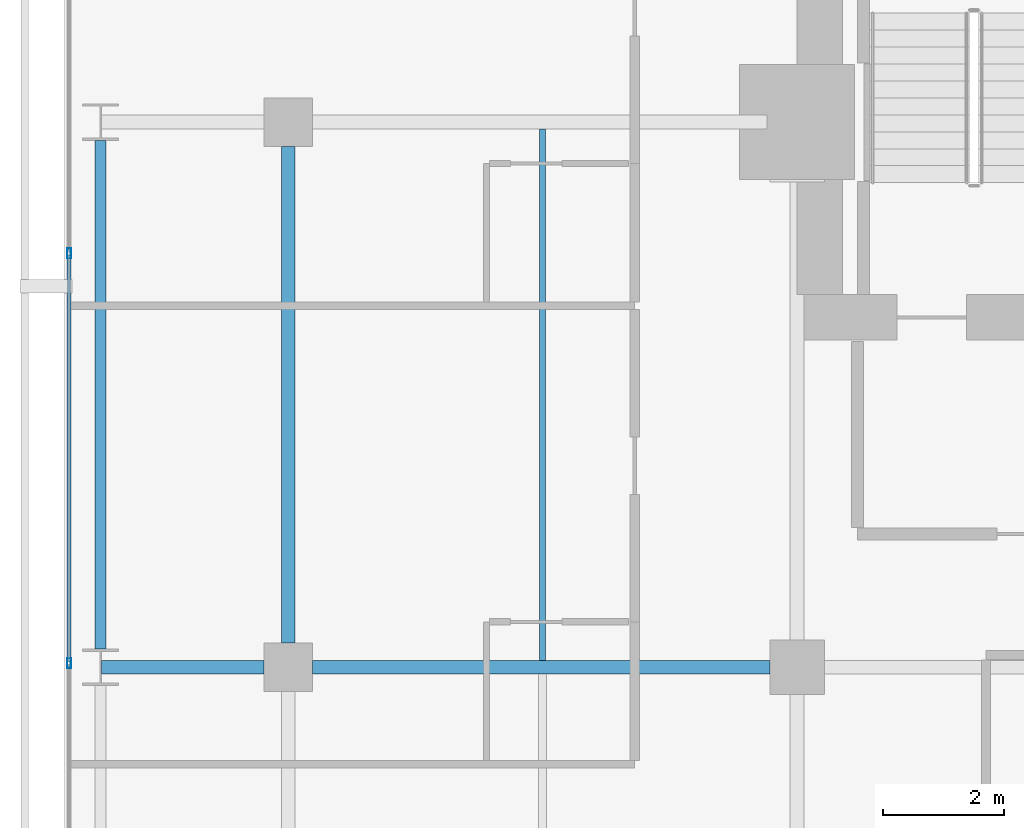
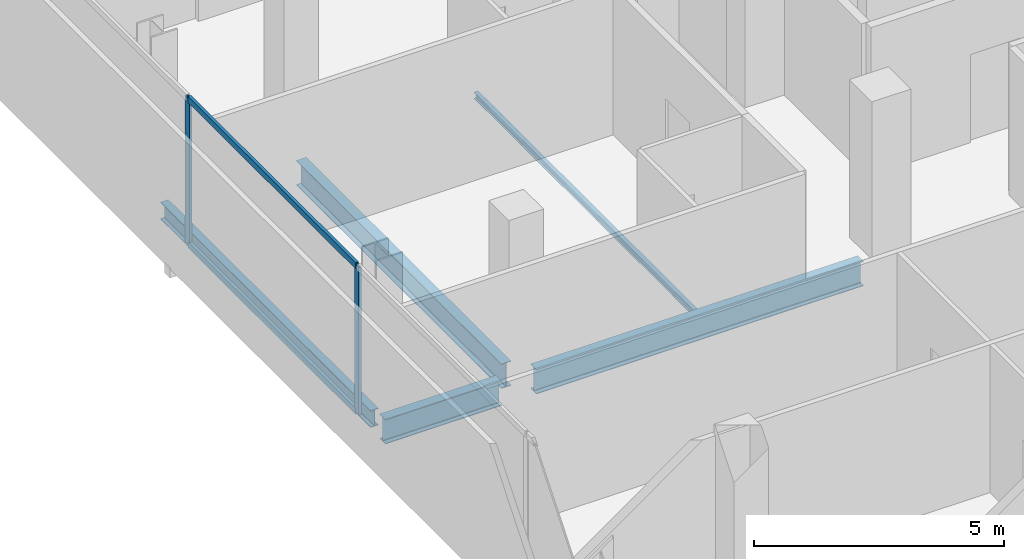
# One storey, part 18 of 34: 5 beams, 4 members, 1 element without a shape of its own.
"""IFC4 building model written with IfcOpenShell, lengths in metres."""

from ifc_helpers import new_model, si_unit, direction, frame, origin, origin_2d, place, context, subcontext, project, spatial, hollow_rectangle, i_section, extrude, material, layer, layer_set, material_profile, profile_set, type_object, element, aggregate, save


model = new_model("IFC4")

# Units and contexts
model_context = context("Model", 3, precision=1e-05, world=origin(), true_north=direction((0.0, 1.0)))
body_context = subcontext(model_context, "Body", "Model", "MODEL_VIEW")
ifc_project = project(units=[si_unit("LENGTHUNIT", "METRE"), si_unit("AREAUNIT", "SQUARE_METRE"), si_unit("VOLUMEUNIT", "CUBIC_METRE"), si_unit("PLANEANGLEUNIT", "RADIAN"), si_unit("MASSUNIT", "GRAM", prefix="KILO")], contexts=[model_context])

# Site, building, storey
site_placement = place(None, origin())
site = spatial("IfcSite", under=ifc_project, at=site_placement, CompositionType="ELEMENT")
building_placement = place(site_placement, origin())
building = spatial("IfcBuilding", under=site, at=building_placement, Name="Maruvema Waterfront Hotel and Observation Tower", CompositionType="ELEMENT")
storey_placement = place(building_placement, frame((0.0, 0.0, 185.14990234375)))
storey = spatial("IfcBuildingStorey", under=building, at=storey_placement, Name="L45", CompositionType="ELEMENT", Elevation=185.14990234375)

# Curtain wall, members
ifc_material_1 = material(Name="Anodised bronze aluminium and solar-control low-E IGU", Category="aluminium")
ifc_layer = layer(ifc_material_1, 0.159912109375, Name="Zone 2 Amber Inner Thermal Curtain Wall System CW-03")
ifc_layer_set = layer_set([ifc_layer], Name="Anodised bronze aluminium and solar-control low-E IGU")
curtain_wall_type = type_object("IfcCurtainWallType", Name="Zone 2 Amber Inner Thermal Curtain Wall System CW-03", PredefinedType="USERDEFINED", material=ifc_layer_set)
curtain_wall_placement = place(storey_placement, origin())
curtain_wall = element("IfcCurtainWall", 1, at=curtain_wall_placement, inside=storey, type_object=curtain_wall_type, Name="L45 Curtain Wall CW-L45-W", ObjectType="UNITISED CURTAIN WALL", PredefinedType="USERDEFINED")
ifc_material_2 = material(Name="Anodised architectural bronze aluminium", Category="aluminium")
ifc_material_profile_1 = material_profile(ifc_material_2, hollow_rectangle(XDim=0.070068359375, YDim=0.14990234375, WallThickness=0.00390625, at=origin_2d()), Name="ALU-T70x150")
ifc_profile_set_1 = profile_set([ifc_material_profile_1], Name="Anodised architectural bronze aluminium")
member_type_1 = type_object("IfcMemberType", Name="Curtain Wall Horizontal Transom ALU-T70x150", PredefinedType="USERDEFINED", material=ifc_profile_set_1)
member_1_placement = place(storey_placement, frame((13.179931640625, 42.80322265625, 0.030029296875), z_axis=(0.0, -1.0, 0.0), x_axis=(1.0, 0.0, 0.0)))
member_1 = element("IfcMember", 2, at=member_1_placement, type_object=member_type_1, Name="CW-03 transom 2.1", ObjectType="TRANSOM", PredefinedType="USERDEFINED", context=body_context, shape_type="SweptSolid", body=[
    extrude(hollow_rectangle(XDim=0.070068359375, YDim=0.14990234375, WallThickness=0.00390625, at=origin_2d()), origin(), (0.0, 0.0, 1.0), 6.70654296875),
])
member_2_placement = place(storey_placement, frame((13.179931640625, 42.80322265625, 3.580078125), z_axis=(0.0, -1.0, 0.0), x_axis=(1.0, 0.0, 0.0)))
member_2 = element("IfcMember", 3, at=member_2_placement, type_object=member_type_1, Name="CW-03 transom 2.2", ObjectType="TRANSOM", PredefinedType="USERDEFINED", context=body_context, shape_type="SweptSolid", body=[
    extrude(hollow_rectangle(XDim=0.070068359375, YDim=0.14990234375, WallThickness=0.00390625, at=origin_2d()), origin(), (0.0, 0.0, 1.0), 6.70654296875),
])
ifc_material_3 = material(Name="Anodised architectural bronze aluminium", Category="aluminium")
ifc_material_profile_2 = material_profile(ifc_material_3, hollow_rectangle(XDim=0.06494140625, YDim=0.1650390625, WallThickness=0.00390625, at=origin_2d()), Name="ALU-M65x165")
ifc_profile_set_2 = profile_set([ifc_material_profile_2], Name="Anodised architectural bronze aluminium")
member_type_2 = type_object("IfcMemberType", Name="Curtain Wall Primary Mullion ALU-M65x165", PredefinedType="MULLION", material=ifc_profile_set_2)
member_3_placement = place(storey_placement, frame((13.179931640625, 42.833251953125, 0.0), z_axis=(0.0, 0.0, 1.0), x_axis=(1.0, 0.0, 0.0)))
member_3 = element("IfcMember", 4, at=member_3_placement, type_object=member_type_2, Name="CW-03 mullion 2", PredefinedType="MULLION", context=body_context, shape_type="SweptSolid", body=[
    extrude(hollow_rectangle(XDim=0.06494140625, YDim=0.1650390625, WallThickness=0.00390625, at=origin_2d()), origin(), (0.0, 0.0, 1.0), 3.610107421875),
])
member_4_placement = place(storey_placement, frame((13.179931640625, 36.066650390625, 0.0), z_axis=(0.0, 0.0, 1.0), x_axis=(1.0, 0.0, 0.0)))
member_4 = element("IfcMember", 5, at=member_4_placement, type_object=member_type_2, Name="CW-03 mullion 3", PredefinedType="MULLION", context=body_context, shape_type="SweptSolid", body=[
    extrude(hollow_rectangle(XDim=0.06494140625, YDim=0.1650390625, WallThickness=0.00390625, at=origin_2d()), origin(), (0.0, 0.0, 1.0), 3.610107421875),
])
aggregate(curtain_wall, [member_3, member_4, member_1, member_2])

# Beams
ifc_material_4 = material(Name="Steel ASTM A572 Grade 50", Category="steel")
ifc_material_profile_3 = material_profile(ifc_material_4, i_section(OverallWidth=0.180908203125, OverallDepth=0.4169921875, WebThickness=0.010986328125, FlangeThickness=0.018310546875, FilletRadius=0.014892578125, at=origin_2d()), Name="W410x85.0")
ifc_profile_set_3 = profile_set([ifc_material_profile_3], Name="Steel ASTM A572 Grade 50")
beam_type_1 = type_object("IfcBeamType", Name="Perimeter Spandrel Beam W410x85.0", PredefinedType="SPANDREL", material=ifc_profile_set_3)
beam_1_placement = place(storey_placement, frame((13.699951171875, 36.300048828125, -0.448486328125), z_axis=(0.0, 1.0, 0.0), x_axis=(-1.0, 0.0, 0.0)))
element("IfcBeam", 6, at=beam_1_placement, inside=storey, type_object=beam_type_1, Name="L45 Floor Girder NS-04", PredefinedType="SPANDREL", context=body_context, shape_type="SweptSolid", body=[
    extrude(i_section(OverallWidth=0.180908203125, OverallDepth=0.4169921875, WebThickness=0.010986328125, FlangeThickness=0.018310546875, FilletRadius=0.014892578125, at=origin_2d()), origin(), (0.0, 0.0, 1.0), 8.39990234375),
])
ifc_material_5 = material(Name="Steel ASTM A572 Grade 50", Category="steel")
ifc_material_profile_4 = material_profile(ifc_material_5, i_section(OverallWidth=0.22802734375, OverallDepth=0.60302734375, WebThickness=0.010498046875, FlangeThickness=0.014892578125, FilletRadius=0.01806640625, at=origin_2d()), Name="W610x101.0")
ifc_profile_set_4 = profile_set([ifc_material_profile_4], Name="Steel ASTM A572 Grade 50")
beam_type_2 = type_object("IfcBeamType", Name="Primary Floor Girder W610x101.0", PredefinedType="BEAM", material=ifc_profile_set_4)
beam_2_placement = place(storey_placement, frame((13.71240234375, 36.0, -0.54150390625), z_axis=(1.0, 0.0, 0.0), x_axis=(0.0, 1.0, 0.0)))
element("IfcBeam", 7, at=beam_2_placement, inside=storey, type_object=beam_type_2, Name="L45 Floor Girder EW-23", PredefinedType="BEAM", context=body_context, shape_type="SweptSolid", body=[
    extrude(i_section(OverallWidth=0.22802734375, OverallDepth=0.60302734375, WebThickness=0.010498046875, FlangeThickness=0.014892578125, FilletRadius=0.01806640625, at=origin_2d()), origin(), (0.0, 0.0, 1.0), 2.6875),
])
beam_3_placement = place(storey_placement, frame((17.199951171875, 36.0, -0.54150390625), z_axis=(1.0, 0.0, 0.0), x_axis=(0.0, 1.0, 0.0)))
element("IfcBeam", 8, at=beam_3_placement, inside=storey, type_object=beam_type_2, Name="L45 Floor Girder EW-24", PredefinedType="BEAM", context=body_context, shape_type="SweptSolid", body=[
    extrude(i_section(OverallWidth=0.22802734375, OverallDepth=0.60302734375, WebThickness=0.010498046875, FlangeThickness=0.014892578125, FilletRadius=0.01806640625, at=origin_2d()), origin(), (0.0, 0.0, 1.0), 7.550048828125),
])
beam_4_placement = place(storey_placement, frame((16.800048828125, 36.39990234375, -0.54150390625), z_axis=(0.0, 1.0, 0.0), x_axis=(-1.0, 0.0, 0.0)))
element("IfcBeam", 9, at=beam_4_placement, inside=storey, type_object=beam_type_2, Name="L45 Floor Girder NS-08", PredefinedType="BEAM", context=body_context, shape_type="SweptSolid", body=[
    extrude(i_section(OverallWidth=0.22802734375, OverallDepth=0.60302734375, WebThickness=0.010498046875, FlangeThickness=0.014892578125, FilletRadius=0.01806640625, at=origin_2d()), origin(), (0.0, 0.0, 1.0), 8.2001953125),
])
ifc_material_6 = material(Name="Steel ASTM A572 Grade 50", Category="steel")
ifc_material_profile_5 = material_profile(ifc_material_6, i_section(OverallWidth=0.10009765625, OverallDepth=0.153076171875, WebThickness=0.005859375, FlangeThickness=0.007080078125, FilletRadius=0.008056640625, at=origin_2d()), Name="W150x18.0")
ifc_profile_set_5 = profile_set([ifc_material_profile_5], Name="Steel ASTM A572 Grade 50")
beam_type_3 = type_object("IfcBeamType", Name="Secondary Floor Joist W150x18.0", PredefinedType="JOIST", material=ifc_profile_set_5)
beam_5_placement = place(storey_placement, frame((21.0, 36.114013671875, -0.31640625), z_axis=(0.0, 1.0, 0.0), x_axis=(-1.0, 0.0, 0.0)))
element("IfcBeam", 10, at=beam_5_placement, inside=storey, type_object=beam_type_3, Name="L45 Secondary Floor Joist JS-04", PredefinedType="JOIST", context=body_context, shape_type="SweptSolid", body=[
    extrude(i_section(OverallWidth=0.10009765625, OverallDepth=0.153076171875, WebThickness=0.005859375, FlangeThickness=0.007080078125, FilletRadius=0.008056640625, at=origin_2d()), origin(), (0.0, 0.0, 1.0), 8.77197265625),
])

save(model, "model.ifc")
